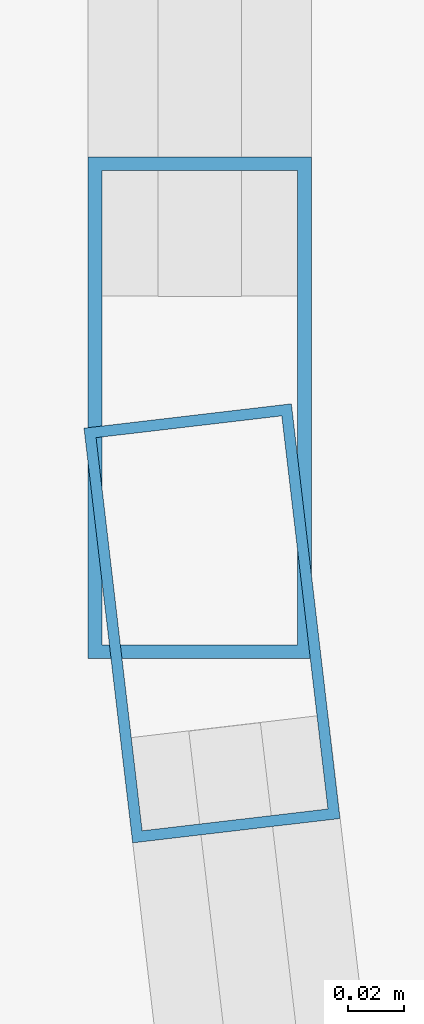
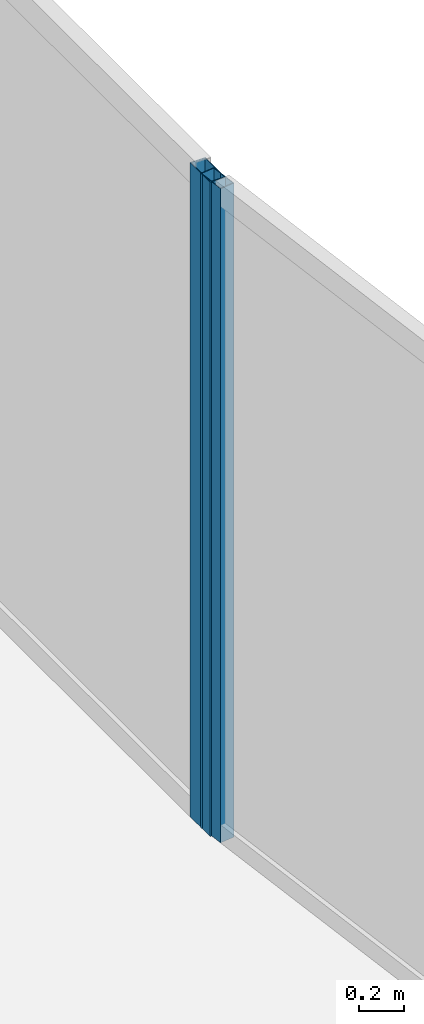
# One storey, part 11 of 22: 2 members, 2 elements without a shape of their own.
"""IFC4 building model written with IfcOpenShell, lengths in metres."""

import ifcopenshell
import ifcopenshell.guid

model = None  # the IFC model being written
_history = None  # IfcOwnerHistory: only IFC2X3 demands one
_inside = {}  # id of a spatial element -> (the spatial element, [elements in it])
_under = {}  # id of a project, library or spatial element -> (it, [spatial elements below it])
_declared = {}  # id of a project -> (the project, [libraries it declares])
_typed = {}  # id of a type object -> (the type object, [elements of that type])
_made_of = {}  # id of a material, layer set ... -> (it, [elements and type objects made of it])


def new_model(schema):
    """Start an empty IFC model of exactly this schema.

    Asked for "IFC4X3", IfcOpenShell would pick the latest addendum, in which some entities
    have other attributes; the version numbers below select the first issue.
    IFC2X3 requires an IfcOwnerHistory on every rooted entity: one is made here for all.
    """
    global model, _history
    if schema == "IFC4X3":
        model = ifcopenshell.file(schema_version=(4, 3, 0, 0))
    else:
        model = ifcopenshell.file(schema=schema)
    _inside.clear()
    _under.clear()
    _declared.clear()
    _typed.clear()
    _made_of.clear()
    _history = None
    if model.schema == "IFC2X3":
        org = make("IfcOrganization", Name="unknown")
        user = make(
            "IfcPersonAndOrganization",
            ThePerson=make("IfcPerson", FamilyName="unknown"),
            TheOrganization=org,
        )
        app = make(
            "IfcApplication",
            ApplicationDeveloper=org,
            Version="unknown",
            ApplicationFullName="unknown",
            ApplicationIdentifier="unknown",
        )
        _history = make(
            "IfcOwnerHistory",
            OwningUser=user,
            OwningApplication=app,
            ChangeAction="ADDED",
            CreationDate=0,
        )
    return model


def make(cls, **values):
    """One entity of the class cls with the attributes given. An attribute that is None is left unset."""
    return model.create_entity(
        cls, **{name: value for name, value in values.items() if value is not None}
    )


def rooted(cls, **values):
    """An entity with a GlobalId (a new one), such as an element, a storey or a relation."""
    return make(cls, GlobalId=ifcopenshell.guid.new(), OwnerHistory=_history, **values)


def si_unit(unit_type, name, prefix=None):
    """IfcSIUnit, for example si_unit("LENGTHUNIT", "METRE", prefix="MILLI")."""
    return make("IfcSIUnit", UnitType=unit_type, Prefix=prefix, Name=name)


def assignment(units):
    """IfcUnitAssignment: the units of a project."""
    return None if units is None else make("IfcUnitAssignment", Units=units)


def point(xyz):
    """IfcCartesianPoint."""
    return None if xyz is None else make("IfcCartesianPoint", Coordinates=xyz)


def direction(xyz):
    """IfcDirection."""
    return None if xyz is None else make("IfcDirection", DirectionRatios=xyz)


def frame(location, z_axis=None, x_axis=None):
    """IfcAxis2Placement3D, a coordinate frame: its origin and axes. An axis left out is left unset."""
    return make(
        "IfcAxis2Placement3D",
        Location=point(location),
        Axis=direction(z_axis),
        RefDirection=direction(x_axis),
    )


def frame_2d(location, x_axis=None):
    """IfcAxis2Placement2D, a coordinate frame in the plane: its origin and x axis."""
    return make(
        "IfcAxis2Placement2D", Location=point(location), RefDirection=direction(x_axis)
    )


def origin():
    """The frame at (0, 0, 0) with its axes left unset."""
    return frame((0.0, 0.0, 0.0))


def origin_2d():
    """The frame at (0, 0) in the plane with its x axis left unset."""
    return frame_2d((0.0, 0.0))


def place(relative_to, where):
    """IfcLocalPlacement: puts the frame where relative to a parent placement (None: the world)."""
    return make(
        "IfcLocalPlacement", PlacementRelTo=relative_to, RelativePlacement=where
    )


def context(
    kind, dimensions, precision=None, world=None, true_north=None, identifier=None
):
    """IfcGeometricRepresentationContext, for example the 3D "Model" context."""
    return make(
        "IfcGeometricRepresentationContext",
        ContextIdentifier=identifier,
        ContextType=kind,
        CoordinateSpaceDimension=dimensions,
        Precision=precision,
        WorldCoordinateSystem=world,
        TrueNorth=true_north,
    )


def subcontext(parent, identifier, kind, view, scale=None):
    """IfcGeometricRepresentationSubContext, for example "Body" below "Model"."""
    return make(
        "IfcGeometricRepresentationSubContext",
        ContextIdentifier=identifier,
        ContextType=kind,
        ParentContext=parent,
        TargetScale=scale,
        TargetView=view,
    )


def project(units=None, contexts=None):
    """IfcProject with its units and contexts."""
    return rooted(
        "IfcProject",
        Name="project",
        RepresentationContexts=contexts,
        UnitsInContext=assignment(units),
    )


def spatial(cls, under=None, at=None, **own):
    """A site, building, storey or space (cls), placed at a placement, below another one or the project."""
    s = rooted(cls, ObjectPlacement=at, **own)
    if under is not None:
        _under.setdefault(under.id(), (under, []))[1].append(s)
    return s


def profile(cls, at=None, kind="AREA", **sizes):
    """A parametric profile (cls). Its sizes go by their IFC names, for example OverallWidth=200.0."""
    return make(cls, ProfileType=kind, Position=at, **sizes)


def hollow_rectangle(**sizes):
    """IfcRectangleHollowProfileDef."""
    return profile("IfcRectangleHollowProfileDef", **sizes)


def extrude(swept, where, along, depth):
    """IfcExtrudedAreaSolid: the profile swept, set in the frame where, extruded along a direction by depth."""
    return make(
        "IfcExtrudedAreaSolid",
        SweptArea=swept,
        Position=where,
        ExtrudedDirection=direction(along),
        Depth=depth,
    )


def shape(context_of_items, identifier, shape_type, items):
    """IfcShapeRepresentation: the items that make up one representation, for example the "Body"."""
    return make(
        "IfcShapeRepresentation",
        ContextOfItems=context_of_items,
        RepresentationIdentifier=identifier,
        RepresentationType=shape_type,
        Items=items,
    )


def material(Name=None, Category=None):
    """IfcMaterial."""
    return make("IfcMaterial", Name=Name, Category=Category)


def layer(
    of_material, thickness, ventilated=None, Name=None, Category=None, Priority=None
):
    """IfcMaterialLayer: one layer of a wall or slab, of a material (None: an air gap)."""
    return make(
        "IfcMaterialLayer",
        Material=of_material,
        LayerThickness=thickness,
        IsVentilated=ventilated,
        Name=Name,
        Category=Category,
        Priority=Priority,
    )


def layer_set(layers, Name=None):
    """IfcMaterialLayerSet."""
    return make("IfcMaterialLayerSet", MaterialLayers=layers, LayerSetName=Name)


def material_profile(
    of_material, cross_section, Name=None, Category=None, Priority=None
):
    """IfcMaterialProfile: a cross section and its material."""
    return make(
        "IfcMaterialProfile",
        Name=Name,
        Material=of_material,
        Profile=cross_section,
        Priority=Priority,
        Category=Category,
    )


def profile_set(profiles, Name=None, composite=None):
    """IfcMaterialProfileSet."""
    return make(
        "IfcMaterialProfileSet",
        Name=Name,
        MaterialProfiles=profiles,
        CompositeProfile=composite,
    )


def made_of(thing, what):
    """Note that an element or type object is made of a material, layer set ...; save() writes the relation."""
    if what is not None:
        _made_of.setdefault(what.id(), (what, []))[1].append(thing)
    return thing


def type_object(cls, material=None, **own):
    """A type object (cls), such as IfcWallType, which elements share."""
    return made_of(rooted(cls, **own), material)


def element(
    cls,
    number,
    at=None,
    inside=None,
    cuts=None,
    type_object=None,
    material=None,
    context=None,
    identifier="Body",
    shape_type=None,
    held_by="IfcProductDefinitionShape",
    body=None,
    shapes=None,
    **own,
):
    """One element of the class cls, such as IfcWall. Its Tag is "e" and its number.

    at: its placement. inside: the storey or other place that contains it. cuts: it is an
    opening in that element (IfcRelVoidsElement). A single representation is given by context,
    identifier, shape_type and body (its items); several are given by shapes. held_by: the class
    of the entity that holds the representations. save() writes the other relations.
    """
    e = rooted(cls, Tag="e%d" % number, ObjectPlacement=at, **own)
    if body is not None:
        shapes = [shape(context, identifier, shape_type, body)]
    if shapes is not None:
        e.Representation = make(held_by, Representations=shapes)
    if inside is not None:
        _inside.setdefault(inside.id(), (inside, []))[1].append(e)
    if cuts is not None:
        rooted(
            "IfcRelVoidsElement", RelatingBuildingElement=cuts, RelatedOpeningElement=e
        )
    if type_object is not None:
        _typed.setdefault(type_object.id(), (type_object, []))[1].append(e)
    return made_of(e, material)


def aggregate(whole, parts):
    """IfcRelAggregates: a whole, such as a stair, and the parts it consists of."""
    return rooted("IfcRelAggregates", RelatingObject=whole, RelatedObjects=parts)


def save(model, path):
    """Write the relations noted so far, then the file.

    IfcRelAggregates (storeys below a building ...), IfcRelContainedInSpatialStructure (elements
    in a storey), IfcRelDefinesByType, IfcRelAssociatesMaterial and IfcRelDeclares: one each for
    every whole, place, type object, material and project.
    """
    for whole, parts in _under.values():
        aggregate(whole, parts)
    for where, things in _inside.values():
        rooted(
            "IfcRelContainedInSpatialStructure",
            RelatedElements=things,
            RelatingStructure=where,
        )
    for kind, things in _typed.values():
        rooted("IfcRelDefinesByType", RelatedObjects=things, RelatingType=kind)
    for what, things in _made_of.values():
        rooted("IfcRelAssociatesMaterial", RelatedObjects=things, RelatingMaterial=what)
    for by, libraries in _declared.values():
        rooted("IfcRelDeclares", RelatingContext=by, RelatedDefinitions=libraries)
    model.write(path)


model = new_model("IFC4")

# Units and contexts
model_context = context("Model", 3, precision=1e-05, world=origin(), true_north=direction((0.0, 1.0)))
body_context = subcontext(model_context, "Body", "Model", "MODEL_VIEW")
ifc_project = project(units=[si_unit("LENGTHUNIT", "METRE"), si_unit("AREAUNIT", "SQUARE_METRE"), si_unit("VOLUMEUNIT", "CUBIC_METRE"), si_unit("PLANEANGLEUNIT", "RADIAN"), si_unit("MASSUNIT", "GRAM", prefix="KILO")], contexts=[model_context])

# Site, building, storey
site_placement = place(None, origin())
site = spatial("IfcSite", under=ifc_project, at=site_placement, CompositionType="ELEMENT")
building_placement = place(site_placement, origin())
building = spatial("IfcBuilding", under=site, at=building_placement, Name="Kazevale Care Tower and Concert Hall", CompositionType="ELEMENT")
storey_placement = place(building_placement, frame((0.0, 0.0, 273.800048828125)))
storey = spatial("IfcBuildingStorey", under=building, at=storey_placement, Name="L72", CompositionType="ELEMENT", Elevation=273.800048828125)

# Curtain wall, member
ifc_material_1 = material(Name="Aluminium 6063-T6 and Low-E Glass", Category="aluminium")
ifc_layer_1 = layer(ifc_material_1, 0.179931640625)
ifc_layer_set_1 = layer_set([ifc_layer_1], Name="Aluminium 6063-T6 and Low-E Glass")
curtain_wall_type_1 = type_object("IfcCurtainWallType", Name="Waist & Upper Residential Curtain Wall CW-4", PredefinedType="NOTDEFINED", material=ifc_layer_set_1)
curtain_wall_1_placement = place(storey_placement, origin())
curtain_wall_1 = element("IfcCurtainWall", 1, at=curtain_wall_1_placement, inside=storey, type_object=curtain_wall_type_1, Name="cw:L72:f14", PredefinedType="NOTDEFINED")
ifc_material_2 = material(Name="Aluminium 6063-T6", Category="aluminium")
ifc_material_profile_1 = material_profile(ifc_material_2, hollow_rectangle(XDim=0.080078125, YDim=0.179931640625, WallThickness=0.0048828125, at=origin_2d()), Name="ALU80x180x5")
ifc_profile_set_1 = profile_set([ifc_material_profile_1], Name="Aluminium 6063-T6")
member_type_1 = type_object("IfcMemberType", Name="CW-4 Mullion ALU80x180x5", PredefinedType="MULLION", material=ifc_profile_set_1)
member_1_placement = place(storey_placement, frame((51.7119140625, 27.08203125, 0.0), z_axis=(0.0, 0.0, 1.0), x_axis=(1.0, 0.0, 0.0)))
member_1 = element("IfcMember", 2, at=member_1_placement, type_object=member_type_1, Name="CW-4 mullion 2", PredefinedType="MULLION", context=body_context, shape_type="SweptSolid", body=[
    extrude(hollow_rectangle(XDim=0.080078125, YDim=0.179931640625, WallThickness=0.0048828125, at=origin_2d()), origin(), (0.0, 0.0, 1.0), 3.56005859375),
])
aggregate(curtain_wall_1, [member_1])

ifc_layer_2 = layer(ifc_material_1, 0.179931640625)
ifc_layer_set_2 = layer_set([ifc_layer_2], Name="Aluminium 6063-T6 and Low-E Glass")
curtain_wall_type_2 = type_object("IfcCurtainWallType", Name="Sheltered Concave Balcony Curtain Wall CW-5", PredefinedType="NOTDEFINED", material=ifc_layer_set_2)
curtain_wall_2_placement = place(storey_placement, origin())
curtain_wall_2 = element("IfcCurtainWall", 3, at=curtain_wall_2_placement, inside=storey, type_object=curtain_wall_type_2, Name="cw:L72:f15", PredefinedType="NOTDEFINED")
ifc_material_profile_2 = material_profile(ifc_material_2, hollow_rectangle(XDim=0.074951171875, YDim=0.14990234375, WallThickness=0.00390625, at=origin_2d()), Name="ALU75x150x4")
ifc_profile_set_2 = profile_set([ifc_material_profile_2], Name="Aluminium 6063-T6")
member_type_2 = type_object("IfcMemberType", Name="CW-5 Mullion ALU75x150x4", PredefinedType="MULLION", material=ifc_profile_set_2)
member_2_placement = place(storey_placement, frame((51.71630859375, 27.004638671875, 0.0), z_axis=(0.0, 0.0, 1.0), x_axis=(0.993190623592, 0.116500580295, 0.0)))
member_2 = element("IfcMember", 4, at=member_2_placement, type_object=member_type_2, Name="CW-5 mullion 1", PredefinedType="MULLION", context=body_context, shape_type="SweptSolid", body=[
    extrude(hollow_rectangle(XDim=0.074951171875, YDim=0.14990234375, WallThickness=0.00390625, at=origin_2d()), origin(), (0.0, 0.0, 1.0), 3.56005859375),
])
aggregate(curtain_wall_2, [member_2])

save(model, "model.ifc")
